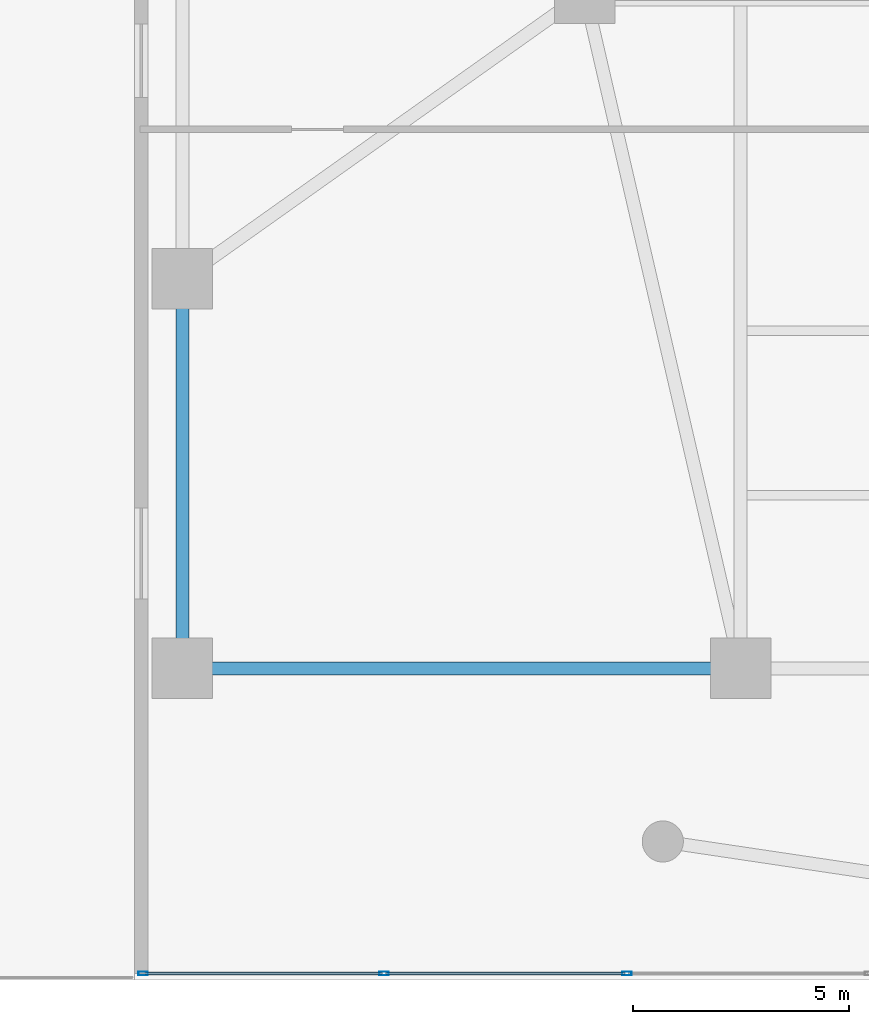
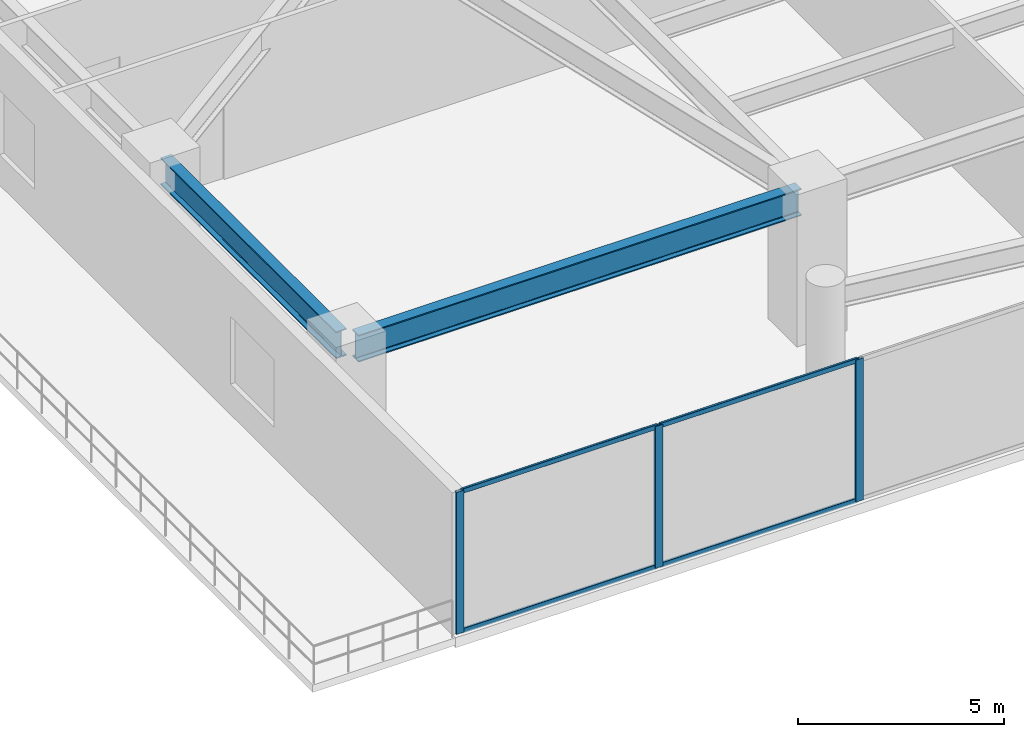
# One storey, part 2 of 29: 7 members, 2 beams, 1 element without a shape of its own.
"""IFC4 building model written with IfcOpenShell, lengths in metres."""

from ifc_helpers import new_model, si_unit, direction, frame, origin, origin_2d, place, context, subcontext, project, spatial, hollow_rectangle, i_section, extrude, material, layer, layer_set, material_profile, profile_set, type_object, element, aggregate, save


model = new_model("IFC4")

# Units and contexts
model_context = context("Model", 3, precision=1e-05, world=origin(), true_north=direction((0.0, 1.0)))
body_context = subcontext(model_context, "Body", "Model", "MODEL_VIEW")
ifc_project = project(units=[si_unit("LENGTHUNIT", "METRE"), si_unit("AREAUNIT", "SQUARE_METRE"), si_unit("VOLUMEUNIT", "CUBIC_METRE"), si_unit("PLANEANGLEUNIT", "RADIAN"), si_unit("MASSUNIT", "GRAM", prefix="KILO")], contexts=[model_context])

# Site, building, storey
site_placement = place(None, origin())
site = spatial("IfcSite", under=ifc_project, at=site_placement, CompositionType="ELEMENT")
building_placement = place(site_placement, origin())
building = spatial("IfcBuilding", under=site, at=building_placement, Name="Tarnavaz Court Tower", CompositionType="ELEMENT")
storey_placement = place(building_placement, frame((0.0, 0.0, 5.39990234375)))
storey = spatial("IfcBuildingStorey", under=building, at=storey_placement, Name="L01", CompositionType="ELEMENT", Elevation=5.39990234375)

# Beams
ifc_material_1 = material(Name="Steel S355", Category="steel")
ifc_material_profile_1 = material_profile(ifc_material_1, i_section(OverallWidth=0.300048828125, OverallDepth=0.800048828125, WebThickness=0.017578125, FlangeThickness=0.032958984375, FilletRadius=0.030029296875, at=origin_2d()), Name="HEB 800")
ifc_profile_set_1 = profile_set([ifc_material_profile_1], Name="Steel S355")
beam_type = type_object("IfcBeamType", Name="BM-G-HEB800", PredefinedType="USERDEFINED", material=ifc_profile_set_1)
beam_1_placement = place(storey_placement, frame((-27.64990234375, -22.800048828125, 3.800048828125), z_axis=(1.0, 0.0, 0.0), x_axis=(0.0, 1.0, 0.0)))
element("IfcBeam", 1, at=beam_1_placement, inside=storey, type_object=beam_type, Name="L01 Beam PM-PM-SW-PM-S1", ObjectType="GIRDER", PredefinedType="USERDEFINED", context=body_context, shape_type="SweptSolid", body=[
    extrude(i_section(OverallWidth=0.300048828125, OverallDepth=0.800048828125, WebThickness=0.017578125, FlangeThickness=0.032958984375, FilletRadius=0.030029296875, at=origin_2d()), origin(), (0.0, 0.0, 1.0), 12.39990234375),
])
beam_2_placement = place(storey_placement, frame((-27.89990234375, -22.550048828125, 3.800048828125), z_axis=(0.0, 1.0, 0.0), x_axis=(-1.0, 0.0, 0.0)))
element("IfcBeam", 2, at=beam_2_placement, inside=storey, type_object=beam_type, Name="L01 Beam PM-PM-SW-PM-W1", ObjectType="GIRDER", PredefinedType="USERDEFINED", context=body_context, shape_type="SweptSolid", body=[
    extrude(i_section(OverallWidth=0.300048828125, OverallDepth=0.800048828125, WebThickness=0.017578125, FlangeThickness=0.032958984375, FilletRadius=0.030029296875, at=origin_2d()), origin(), (0.0, 0.0, 1.0), 8.5),
])

# Curtain wall, members
ifc_material_2 = material(Name="Anodised Aluminium 6063-T6 and Solar Low-E Glazing", Category="aluminium")
ifc_layer = layer(ifc_material_2, 0.18994140625)
ifc_layer_set = layer_set([ifc_layer], Name="Anodised Aluminium 6063-T6 and Solar Low-E Glazing")
curtain_wall_type = type_object("IfcCurtainWallType", Name="CW-SYS-01", PredefinedType="NOTDEFINED", material=ifc_layer_set)
curtain_wall_placement = place(storey_placement, origin())
curtain_wall = element("IfcCurtainWall", 3, at=curtain_wall_placement, inside=storey, type_object=curtain_wall_type, Name="L01 Clinic South Curtain Wall 3", PredefinedType="NOTDEFINED")
ifc_material_3 = material(Name="Anodised Aluminium 6063-T6", Category="aluminium")
ifc_material_profile_2 = material_profile(ifc_material_3, hollow_rectangle(XDim=0.0849609375, YDim=0.219970703125, WallThickness=0.006103515625, InnerFilletRadius=0.006103515625, OuterFilletRadius=0.011962890625, at=origin_2d()), Name="ALU RHS 220X85X6")
ifc_profile_set_2 = profile_set([ifc_material_profile_2], Name="Anodised Aluminium 6063-T6")
member_type_1 = type_object("IfcMemberType", Name="CW-MUL-220", PredefinedType="MULLION", material=ifc_profile_set_2)
member_1_placement = place(storey_placement, frame((-17.6318359375, -29.85009765625, 0.0), z_axis=(0.0, 0.0, 1.0), x_axis=(0.0, -1.0, 0.0)))
member_1 = element("IfcMember", 4, at=member_1_placement, type_object=member_type_1, Name="CW mullion 10", PredefinedType="MULLION", context=body_context, shape_type="SweptSolid", body=[
    extrude(hollow_rectangle(XDim=0.0849609375, YDim=0.219970703125, WallThickness=0.006103515625, InnerFilletRadius=0.006103515625, OuterFilletRadius=0.011962890625, at=origin_2d()), origin(), (0.0, 0.0, 1.0), 4.2001953125),
])
member_2_placement = place(storey_placement, frame((-23.240966796875, -29.85009765625, 0.0), z_axis=(0.0, 0.0, 1.0), x_axis=(0.0, -1.0, 0.0)))
member_2 = element("IfcMember", 5, at=member_2_placement, type_object=member_type_1, Name="CW mullion 11", PredefinedType="MULLION", context=body_context, shape_type="SweptSolid", body=[
    extrude(hollow_rectangle(XDim=0.0849609375, YDim=0.219970703125, WallThickness=0.006103515625, InnerFilletRadius=0.006103515625, OuterFilletRadius=0.011962890625, at=origin_2d()), origin(), (0.0, 0.0, 1.0), 4.2001953125),
])
member_3_placement = place(storey_placement, frame((-28.8076171875, -29.85009765625, 0.0), z_axis=(0.0, 0.0, 1.0), x_axis=(0.0, -1.0, 0.0)))
member_3 = element("IfcMember", 6, at=member_3_placement, type_object=member_type_1, Name="CW mullion 12", PredefinedType="MULLION", context=body_context, shape_type="SweptSolid", body=[
    extrude(hollow_rectangle(XDim=0.0849609375, YDim=0.219970703125, WallThickness=0.006103515625, InnerFilletRadius=0.006103515625, OuterFilletRadius=0.011962890625, at=origin_2d()), origin(), (0.0, 0.0, 1.0), 4.2001953125),
])
ifc_material_profile_3 = material_profile(ifc_material_3, hollow_rectangle(XDim=0.06494140625, YDim=0.139892578125, WallThickness=0.00390625, InnerFilletRadius=0.00390625, OuterFilletRadius=0.008056640625, at=origin_2d()), Name="ALU RHS 140X65X4")
ifc_profile_set_3 = profile_set([ifc_material_profile_3], Name="Anodised Aluminium 6063-T6")
member_type_2 = type_object("IfcMemberType", Name="CW-TRN-140", PredefinedType="USERDEFINED", material=ifc_profile_set_3)
member_4_placement = place(storey_placement, frame((-17.67431640625, -29.85009765625, 0.03271484375), z_axis=(-1.0, 0.0, 0.0), x_axis=(0.0, -1.0, 0.0)))
member_4 = element("IfcMember", 7, at=member_4_placement, type_object=member_type_2, Name="CW transom 10.1", ObjectType="TRANSOM", PredefinedType="USERDEFINED", context=body_context, shape_type="SweptSolid", body=[
    extrude(hollow_rectangle(XDim=0.06494140625, YDim=0.139892578125, WallThickness=0.00390625, InnerFilletRadius=0.00390625, OuterFilletRadius=0.008056640625, at=origin_2d()), origin(), (0.0, 0.0, 1.0), 5.524169921875),
])
member_5_placement = place(storey_placement, frame((-17.67431640625, -29.85009765625, 4.16748046875), z_axis=(-1.0, 0.0, 0.0), x_axis=(0.0, -1.0, 0.0)))
member_5 = element("IfcMember", 8, at=member_5_placement, type_object=member_type_2, Name="CW transom 10.2", ObjectType="TRANSOM", PredefinedType="USERDEFINED", context=body_context, shape_type="SweptSolid", body=[
    extrude(hollow_rectangle(XDim=0.06494140625, YDim=0.139892578125, WallThickness=0.00390625, InnerFilletRadius=0.00390625, OuterFilletRadius=0.008056640625, at=origin_2d()), origin(), (0.0, 0.0, 1.0), 5.524169921875),
])
member_6_placement = place(storey_placement, frame((-23.283447265625, -29.85009765625, 0.03271484375), z_axis=(-1.0, 0.0, 0.0), x_axis=(0.0, -1.0, 0.0)))
member_6 = element("IfcMember", 9, at=member_6_placement, type_object=member_type_2, Name="CW transom 11.1", ObjectType="TRANSOM", PredefinedType="USERDEFINED", context=body_context, shape_type="SweptSolid", body=[
    extrude(hollow_rectangle(XDim=0.06494140625, YDim=0.139892578125, WallThickness=0.00390625, InnerFilletRadius=0.00390625, OuterFilletRadius=0.008056640625, at=origin_2d()), origin(), (0.0, 0.0, 1.0), 5.4814453125),
])
member_7_placement = place(storey_placement, frame((-23.283447265625, -29.85009765625, 4.16748046875), z_axis=(-1.0, 0.0, 0.0), x_axis=(0.0, -1.0, 0.0)))
member_7 = element("IfcMember", 10, at=member_7_placement, type_object=member_type_2, Name="CW transom 11.2", ObjectType="TRANSOM", PredefinedType="USERDEFINED", context=body_context, shape_type="SweptSolid", body=[
    extrude(hollow_rectangle(XDim=0.06494140625, YDim=0.139892578125, WallThickness=0.00390625, InnerFilletRadius=0.00390625, OuterFilletRadius=0.008056640625, at=origin_2d()), origin(), (0.0, 0.0, 1.0), 5.4814453125),
])
aggregate(curtain_wall, [member_1, member_2, member_3, member_4, member_5, member_6, member_7])

save(model, "model.ifc")
